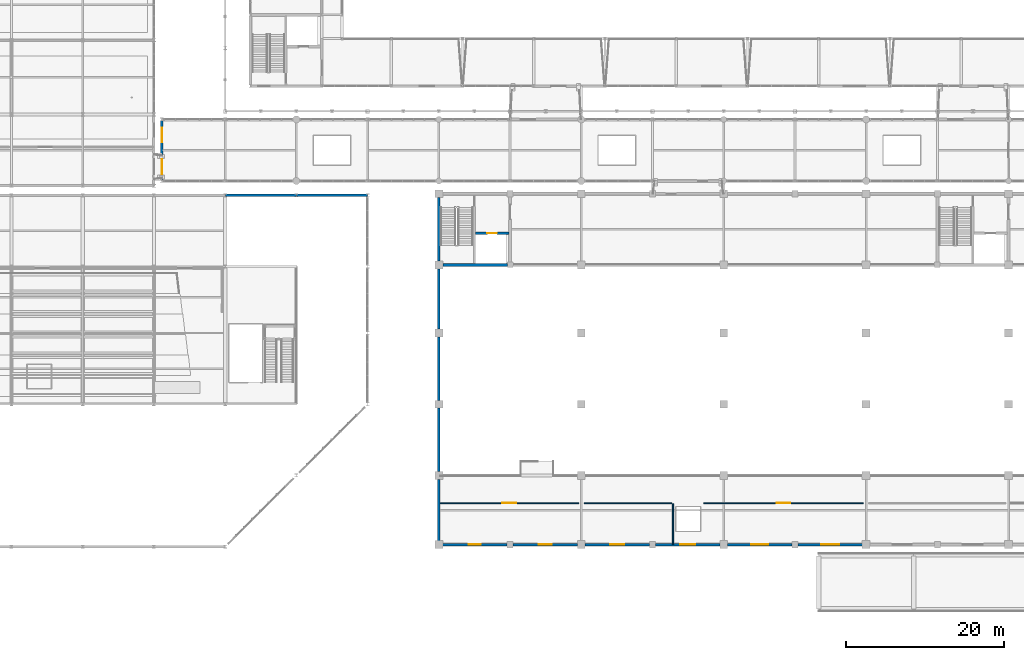
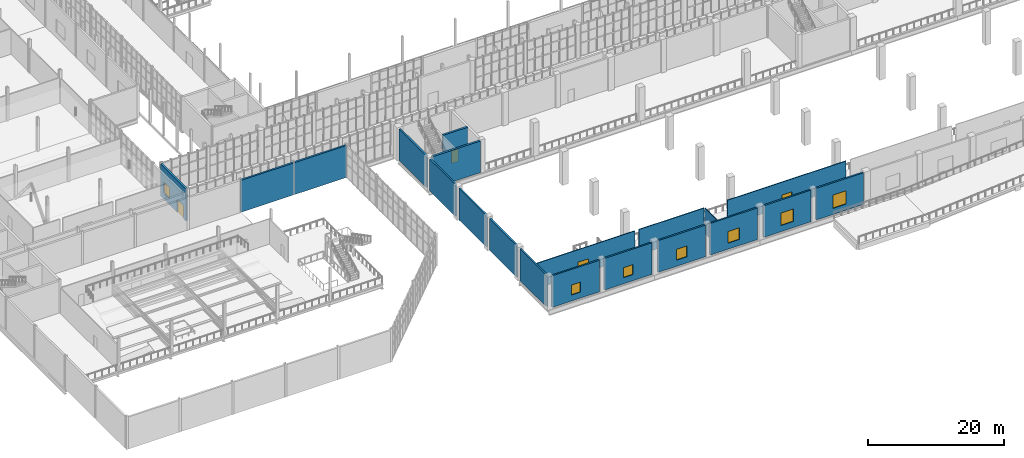
# One storey, part 121 of 159: 20 walls, 7 windows, 4 doors, 11 openings.
"""IFC4 building model written with IfcOpenShell, lengths in metres."""

from ifc_helpers import new_model, si_unit, direction, frame, frame_2d, origin, place, context, subcontext, project, spatial, rectangle, extrude, material, layer, layer_set, type_object, element, fill, save


model = new_model("IFC4")

# Units and contexts
model_context = context("Model", 3, precision=1e-05, world=origin(), true_north=direction((0.0, 1.0)))
body_context = subcontext(model_context, "Body", "Model", "MODEL_VIEW")
ifc_project = project(units=[si_unit("LENGTHUNIT", "METRE"), si_unit("AREAUNIT", "SQUARE_METRE"), si_unit("VOLUMEUNIT", "CUBIC_METRE"), si_unit("PLANEANGLEUNIT", "RADIAN"), si_unit("MASSUNIT", "GRAM", prefix="KILO")], contexts=[model_context])

# Site, building, storey
site_placement = place(None, origin())
site = spatial("IfcSite", under=ifc_project, at=site_placement, CompositionType="ELEMENT")
building_placement = place(site_placement, origin())
building = spatial("IfcBuilding", under=site, at=building_placement, Name="Cazmaro Siding Exhibition Halls", CompositionType="ELEMENT")
storey_placement = place(building_placement, frame((0.0, 0.0, 6.0)))
storey = spatial("IfcBuildingStorey", under=building, at=storey_placement, Name="L01", CompositionType="ELEMENT", Elevation=6.0)

# Wall, openings, door, window
ifc_material_1 = material(Name="Concrete f'c 45 MPa", Category="concrete")
ifc_layer_1 = layer(ifc_material_1, 0.320068359375)
ifc_layer_set_1 = layer_set([ifc_layer_1], Name="Concrete f'c 45 MPa")
wall_type_1 = type_object("IfcWallType", Name="EW-01", PredefinedType="STANDARD", material=ifc_layer_set_1)
wall_1_placement = place(storey_placement, frame((37.0, 55.3759765625, 0.0), z_axis=(0.0, 0.0, 1.0), x_axis=(0.0, 1.0, 0.0)))
wall_1 = element("IfcWall", 1, at=wall_1_placement, inside=storey, type_object=wall_type_1, Name="Concourse Bridge SB-04 Portal L01 EW-01 WL-E0185", PredefinedType="STANDARD", context=body_context, shape_type="SweptSolid", body=[
    extrude(rectangle(XDim=7.447998046875, YDim=0.320068359375, at=frame_2d((3.72412109375, 0.0))), origin(), (0.0, 0.0, 1.0), 5.780029296875),
])
opening_1_placement = place(wall_1_placement, frame((0.674072265625, 0.0, 0.0)))
opening_1 = element("IfcOpeningElement", 2, at=opening_1_placement, cuts=wall_1, Name="Opening D-E052", PredefinedType="OPENING", context=body_context, shape_type="SweptSolid", body=[
    extrude(rectangle(XDim=1.89990234375, YDim=2.3798828125, at=frame_2d((0.949951171875, 1.18994140625))), frame((0.0, 0.169921875, 0.0), z_axis=(0.0, -1.0, 0.0), x_axis=(1.0, 0.0, 0.0)), (0.0, 0.0, 1.0), 0.340087890625),
])
opening_2_placement = place(wall_1_placement, frame((4.748046875, 0.0, 1.10009765625)))
opening_2 = element("IfcOpeningElement", 3, at=opening_2_placement, cuts=wall_1, Name="Opening W-055", PredefinedType="OPENING", context=body_context, shape_type="SweptSolid", body=[
    extrude(rectangle(XDim=1.800048828125, YDim=1.949951171875, at=frame_2d((0.89990234375, 0.97509765625))), frame((0.0, 0.169921875, 0.0), z_axis=(0.0, -1.0, 0.0), x_axis=(1.0, 0.0, 0.0)), (0.0, 0.0, 1.0), 0.340087890625),
])
ifc_material_2 = material(Name="Anodized Bronze Glazed Entrance Door", Category="aluminium")
door_type_1 = type_object("IfcDoorType", Name="ED-08", OperationType="DOUBLE_DOOR_SLIDING", PredefinedType="DOOR", material=ifc_material_2)
door_1_placement = place(opening_1_placement, origin())
door_1 = element("IfcDoor", 4, at=door_1_placement, inside=storey, type_object=door_type_1, Name="Exterior door D-E052 (ED-08)", OperationType="DOUBLE_DOOR_SLIDING", OverallHeight=2.3798828125, OverallWidth=1.89990234375, PredefinedType="DOOR", context=body_context, shape_type="SweptSolid", body=[
    extrude(rectangle(XDim=1.89990234375, YDim=2.3798828125, at=frame_2d((0.949951171875, 1.18994140625))), frame((0.0, 0.02490234375, 0.0), z_axis=(0.0, -1.0, 0.0), x_axis=(1.0, 0.0, 0.0)), (0.0, 0.0, 1.0), 0.050048828125),
])
fill(opening_1, door_1)
ifc_material_3 = material(Name="Thermally Broken Aluminum Low-E Window Unit", Category="aluminium")
window_type_1 = type_object("IfcWindowType", Name="WT-03", PartitioningType="SINGLE_PANEL", PredefinedType="WINDOW", material=ifc_material_3)
window_1_placement = place(opening_2_placement, origin())
window_1 = element("IfcWindow", 5, at=window_1_placement, inside=storey, type_object=window_type_1, Name="Window W-055 (WT-03)", OverallHeight=1.949951171875, OverallWidth=1.800048828125, PartitioningType="SINGLE_PANEL", PredefinedType="WINDOW", context=body_context, shape_type="SweptSolid", body=[
    extrude(rectangle(XDim=1.800048828125, YDim=1.949951171875, at=frame_2d((0.89990234375, 0.97509765625))), frame((0.0, 0.030029296875, 0.0), z_axis=(0.0, -1.0, 0.0), x_axis=(1.0, 0.0, 0.0)), (0.0, 0.0, 1.0), 0.06005859375),
])
fill(opening_2, window_1)

# Walls
for number, where, z_axis, x_axis, name in (
    (6, (45.014892578125, 53.39990234375, 0.0), (0.0, 0.0, 1.0), (1.0, 0.0, 0.0), "Congress North Upper Seismic Wall EW-01 WL-E0236"),
    (7, (54.014892578125, 53.39990234375, 0.0), (0.0, 0.0, 1.0), (1.0, 0.0, 0.0), "Congress North Upper Seismic Wall EW-01 WL-E0239"),
):
    element("IfcWall", number, at=place(storey_placement, frame(where, z_axis=z_axis, x_axis=x_axis)), inside=storey, type_object=wall_type_1, Name=name, PredefinedType="STANDARD", context=body_context, shape_type="SweptSolid", body=[
        extrude(rectangle(XDim=8.97021484375, YDim=0.320068359375, at=frame_2d((4.485107421875, 0.0))), origin(), (0.0, 0.0, 1.0), 5.75),
    ])

# Wall, opening, window
ifc_material_4 = material(Name="Precast concrete f'c 40 MPa", Category="concrete")
ifc_layer_2 = layer(ifc_material_4, 0.280029296875)
ifc_layer_set_2 = layer_set([ifc_layer_2], Name="Precast concrete f'c 40 MPa")
wall_type_2 = type_object("IfcWallType", Name="EW-02", PredefinedType="STANDARD", material=ifc_layer_set_2)
wall_2_placement = place(storey_placement, frame((80.60791015625, 9.25, 0.0), z_axis=(0.0, 0.0, 1.0), x_axis=(-1.0, 0.0, 0.0)))
wall_2 = element("IfcWall", 8, at=wall_2_placement, inside=storey, type_object=wall_type_2, Name="Hall B1 South Mezzanine Wall EW-02 WL-E0037", PredefinedType="STANDARD", context=body_context, shape_type="SweptSolid", body=[
    extrude(rectangle(XDim=8.115966796875, YDim=0.280029296875, at=frame_2d((4.05810546875, 0.0))), origin(), (0.0, 0.0, 1.0), 5.699951171875),
])
opening_3_placement = place(wall_2_placement, frame((3.30810546875, 0.0, 1.10009765625)))
opening_3 = element("IfcOpeningElement", 9, at=opening_3_placement, cuts=wall_2, Name="Opening W-019", PredefinedType="OPENING", context=body_context, shape_type="SweptSolid", body=[
    extrude(rectangle(XDim=1.5, YDim=1.800048828125, at=frame_2d((0.75, 0.89990234375))), frame((0.0, 0.14990234375, 0.0), z_axis=(0.0, -1.0, 0.0), x_axis=(1.0, 0.0, 0.0)), (0.0, 0.0, 1.0), 0.300048828125),
])
ifc_material_5 = material(Name="Thermally Broken Aluminum Low-E Window Unit", Category="aluminium")
window_type_2 = type_object("IfcWindowType", Name="WT-01", PartitioningType="SINGLE_PANEL", PredefinedType="WINDOW", material=ifc_material_5)
window_2_placement = place(opening_3_placement, origin())
window_2 = element("IfcWindow", 10, at=window_2_placement, inside=storey, type_object=window_type_2, Name="Window W-019 (WT-01)", OverallHeight=1.800048828125, OverallWidth=1.5, PartitioningType="SINGLE_PANEL", PredefinedType="WINDOW", context=body_context, shape_type="SweptSolid", body=[
    extrude(rectangle(XDim=1.5, YDim=1.800048828125, at=frame_2d((0.75, 0.89990234375))), frame((0.0, 0.030029296875, 0.0), z_axis=(0.0, -1.0, 0.0), x_axis=(1.0, 0.0, 0.0)), (0.0, 0.0, 1.0), 0.06005859375),
])
fill(opening_3, window_2)

wall_3_placement = place(storey_placement, frame((89.508056640625, 9.25, 0.0), z_axis=(0.0, 0.0, 1.0), x_axis=(-1.0, 0.0, 0.0)))
wall_3 = element("IfcWall", 11, at=wall_3_placement, inside=storey, type_object=wall_type_2, Name="Hall B1 South Mezzanine Wall EW-02 WL-E0043", PredefinedType="STANDARD", context=body_context, shape_type="SweptSolid", body=[
    extrude(rectangle(XDim=8.115966796875, YDim=0.280029296875, at=frame_2d((4.05810546875, 0.0))), origin(), (0.0, 0.0, 1.0), 5.699951171875),
])
opening_4_placement = place(wall_3_placement, frame((3.23291015625, 0.0, 1.10009765625)))
opening_4 = element("IfcOpeningElement", 12, at=opening_4_placement, cuts=wall_3, Name="Opening W-020", PredefinedType="OPENING", context=body_context, shape_type="SweptSolid", body=[
    extrude(rectangle(XDim=1.64990234375, YDim=1.800048828125, at=frame_2d((0.824951171875, 0.89990234375))), frame((0.0, 0.14990234375, 0.0), z_axis=(0.0, -1.0, 0.0), x_axis=(1.0, 0.0, 0.0)), (0.0, 0.0, 1.0), 0.300048828125),
])
ifc_material_6 = material(Name="Thermally Broken Aluminum Low-E Window Unit", Category="aluminium")
window_type_3 = type_object("IfcWindowType", Name="WT-02", PartitioningType="SINGLE_PANEL", PredefinedType="WINDOW", material=ifc_material_6)
window_3_placement = place(opening_4_placement, origin())
window_3 = element("IfcWindow", 13, at=window_3_placement, inside=storey, type_object=window_type_3, Name="Window W-020 (WT-02)", OverallHeight=1.800048828125, OverallWidth=1.64990234375, PartitioningType="SINGLE_PANEL", PredefinedType="WINDOW", context=body_context, shape_type="SweptSolid", body=[
    extrude(rectangle(XDim=1.64990234375, YDim=1.800048828125, at=frame_2d((0.824951171875, 0.89990234375))), frame((0.0, 0.030029296875, 0.0), z_axis=(0.0, -1.0, 0.0), x_axis=(1.0, 0.0, 0.0)), (0.0, 0.0, 1.0), 0.06005859375),
])
fill(opening_4, window_3)

wall_4_placement = place(storey_placement, frame((98.60791015625, 9.25, 0.0), z_axis=(0.0, 0.0, 1.0), x_axis=(-1.0, 0.0, 0.0)))
wall_4 = element("IfcWall", 14, at=wall_4_placement, inside=storey, type_object=wall_type_2, Name="Hall B1 South Mezzanine Wall EW-02 WL-E0049", PredefinedType="STANDARD", context=body_context, shape_type="SweptSolid", body=[
    extrude(rectangle(XDim=8.115966796875, YDim=0.280029296875, at=frame_2d((4.05810546875, 0.0))), origin(), (0.0, 0.0, 1.0), 5.699951171875),
])
opening_5_placement = place(wall_4_placement, frame((3.157958984375, 0.0, 1.10009765625)))
opening_5 = element("IfcOpeningElement", 15, at=opening_5_placement, cuts=wall_4, Name="Opening W-023", PredefinedType="OPENING", context=body_context, shape_type="SweptSolid", body=[
    extrude(rectangle(XDim=1.800048828125, YDim=1.949951171875, at=frame_2d((0.89990234375, 0.97509765625))), frame((0.0, 0.14990234375, 0.0), z_axis=(0.0, -1.0, 0.0), x_axis=(1.0, 0.0, 0.0)), (0.0, 0.0, 1.0), 0.300048828125),
])
window_4_placement = place(opening_5_placement, origin())
window_4 = element("IfcWindow", 16, at=window_4_placement, inside=storey, type_object=window_type_1, Name="Window W-023 (WT-03)", OverallHeight=1.949951171875, OverallWidth=1.800048828125, PartitioningType="SINGLE_PANEL", PredefinedType="WINDOW", context=body_context, shape_type="SweptSolid", body=[
    extrude(rectangle(XDim=1.800048828125, YDim=1.949951171875, at=frame_2d((0.89990234375, 0.97509765625))), frame((0.0, 0.030029296875, 0.0), z_axis=(0.0, -1.0, 0.0), x_axis=(1.0, 0.0, 0.0)), (0.0, 0.0, 1.0), 0.06005859375),
])
fill(opening_5, window_4)

wall_5_placement = place(storey_placement, frame((107.508056640625, 9.25, 0.0), z_axis=(0.0, 0.0, 1.0), x_axis=(-1.0, 0.0, 0.0)))
wall_5 = element("IfcWall", 17, at=wall_5_placement, inside=storey, type_object=wall_type_2, Name="Hall B1 South Mezzanine Wall EW-02 WL-E0055", PredefinedType="STANDARD", context=body_context, shape_type="SweptSolid", body=[
    extrude(rectangle(XDim=8.115966796875, YDim=0.280029296875, at=frame_2d((4.05810546875, 0.0))), origin(), (0.0, 0.0, 1.0), 5.699951171875),
])
opening_6_placement = place(wall_5_placement, frame((3.0830078125, 0.0, 1.10009765625)))
opening_6 = element("IfcOpeningElement", 18, at=opening_6_placement, cuts=wall_5, Name="Opening W-026", PredefinedType="OPENING", context=body_context, shape_type="SweptSolid", body=[
    extrude(rectangle(XDim=1.949951171875, YDim=2.10009765625, at=frame_2d((0.97509765625, 1.050048828125))), frame((0.0, 0.14990234375, 0.0), z_axis=(0.0, -1.0, 0.0), x_axis=(1.0, 0.0, 0.0)), (0.0, 0.0, 1.0), 0.300048828125),
])
ifc_material_7 = material(Name="Thermally Broken Aluminum Low-E Window Unit", Category="aluminium")
window_type_4 = type_object("IfcWindowType", Name="WT-04", PartitioningType="SINGLE_PANEL", PredefinedType="WINDOW", material=ifc_material_7)
window_5_placement = place(opening_6_placement, origin())
window_5 = element("IfcWindow", 19, at=window_5_placement, inside=storey, type_object=window_type_4, Name="Window W-026 (WT-04)", OverallHeight=2.10009765625, OverallWidth=1.949951171875, PartitioningType="SINGLE_PANEL", PredefinedType="WINDOW", context=body_context, shape_type="SweptSolid", body=[
    extrude(rectangle(XDim=1.949951171875, YDim=2.10009765625, at=frame_2d((0.97509765625, 1.050048828125))), frame((0.0, 0.030029296875, 0.0), z_axis=(0.0, -1.0, 0.0), x_axis=(1.0, 0.0, 0.0)), (0.0, 0.0, 1.0), 0.06005859375),
])
fill(opening_6, window_5)

wall_6_placement = place(storey_placement, frame((116.60791015625, 9.25, 0.0), z_axis=(0.0, 0.0, 1.0), x_axis=(-1.0, 0.0, 0.0)))
wall_6 = element("IfcWall", 20, at=wall_6_placement, inside=storey, type_object=wall_type_2, Name="Hall B1 South Mezzanine Wall EW-02 WL-E0061", PredefinedType="STANDARD", context=body_context, shape_type="SweptSolid", body=[
    extrude(rectangle(XDim=8.115966796875, YDim=0.280029296875, at=frame_2d((4.05810546875, 0.0))), origin(), (0.0, 0.0, 1.0), 5.699951171875),
])
opening_7_placement = place(wall_6_placement, frame((3.008056640625, 0.0, 1.10009765625)))
opening_7 = element("IfcOpeningElement", 21, at=opening_7_placement, cuts=wall_6, Name="Opening W-029", PredefinedType="OPENING", context=body_context, shape_type="SweptSolid", body=[
    extrude(rectangle(XDim=2.10009765625, YDim=2.25, at=frame_2d((1.050048828125, 1.125))), frame((0.0, 0.14990234375, 0.0), z_axis=(0.0, -1.0, 0.0), x_axis=(1.0, 0.0, 0.0)), (0.0, 0.0, 1.0), 0.300048828125),
])
ifc_material_8 = material(Name="Thermally Broken Aluminum Low-E Window Unit", Category="aluminium")
window_type_5 = type_object("IfcWindowType", Name="WT-05", PartitioningType="SINGLE_PANEL", PredefinedType="WINDOW", material=ifc_material_8)
window_6_placement = place(opening_7_placement, origin())
window_6 = element("IfcWindow", 22, at=window_6_placement, inside=storey, type_object=window_type_5, Name="Window W-029 (WT-05)", OverallHeight=2.25, OverallWidth=2.10009765625, PartitioningType="SINGLE_PANEL", PredefinedType="WINDOW", context=body_context, shape_type="SweptSolid", body=[
    extrude(rectangle(XDim=2.10009765625, YDim=2.25, at=frame_2d((1.050048828125, 1.125))), frame((0.0, 0.030029296875, 0.0), z_axis=(0.0, -1.0, 0.0), x_axis=(1.0, 0.0, 0.0)), (0.0, 0.0, 1.0), 0.06005859375),
])
fill(opening_7, window_6)

wall_7_placement = place(storey_placement, frame((125.508056640625, 9.25, 0.0), z_axis=(0.0, 0.0, 1.0), x_axis=(-1.0, 0.0, 0.0)))
wall_7 = element("IfcWall", 23, at=wall_7_placement, inside=storey, type_object=wall_type_2, Name="Hall B1 South Mezzanine Wall EW-02 WL-E0067", PredefinedType="STANDARD", context=body_context, shape_type="SweptSolid", body=[
    extrude(rectangle(XDim=8.115966796875, YDim=0.280029296875, at=frame_2d((4.05810546875, 0.0))), origin(), (0.0, 0.0, 1.0), 5.699951171875),
])
opening_8_placement = place(wall_7_placement, frame((2.93310546875, 0.0, 1.10009765625)))
opening_8 = element("IfcOpeningElement", 24, at=opening_8_placement, cuts=wall_7, Name="Opening W-031", PredefinedType="OPENING", context=body_context, shape_type="SweptSolid", body=[
    extrude(rectangle(XDim=2.25, YDim=2.39990234375, at=frame_2d((1.125, 1.199951171875))), frame((0.0, 0.14990234375, 0.0), z_axis=(0.0, -1.0, 0.0), x_axis=(1.0, 0.0, 0.0)), (0.0, 0.0, 1.0), 0.300048828125),
])
ifc_material_9 = material(Name="Thermally Broken Aluminum Low-E Window Unit", Category="aluminium")
window_type_6 = type_object("IfcWindowType", Name="WT-06", PartitioningType="SINGLE_PANEL", PredefinedType="WINDOW", material=ifc_material_9)
window_7_placement = place(opening_8_placement, origin())
window_7 = element("IfcWindow", 25, at=window_7_placement, inside=storey, type_object=window_type_6, Name="Window W-031 (WT-06)", OverallHeight=2.39990234375, OverallWidth=2.25, PartitioningType="SINGLE_PANEL", PredefinedType="WINDOW", context=body_context, shape_type="SweptSolid", body=[
    extrude(rectangle(XDim=2.25, YDim=2.39990234375, at=frame_2d((1.125, 1.199951171875))), frame((0.0, 0.030029296875, 0.0), z_axis=(0.0, -1.0, 0.0), x_axis=(1.0, 0.0, 0.0)), (0.0, 0.0, 1.0), 0.06005859375),
])
fill(opening_8, window_7)

# Walls
wall_8_placement = place(storey_placement, frame((72.0, 9.741943359375, 0.0), z_axis=(0.0, 0.0, 1.0), x_axis=(0.0, 1.0, 0.0)))
element("IfcWall", 26, at=wall_8_placement, inside=storey, type_object=wall_type_2, Name="Hall B1 West Upper Wall EW-02 WL-E0127", PredefinedType="STANDARD", context=body_context, shape_type="SweptSolid", body=[
    extrude(rectangle(XDim=7.76611328125, YDim=0.280029296875, at=frame_2d((3.883056640625, 0.0))), origin(), (0.0, 0.0, 1.0), 5.699951171875),
])
for number, where, z_axis, x_axis, name in (
    (27, (72.0, 18.491943359375, 0.0), (0.0, 0.0, 1.0), (0.0, 1.0, 0.0), "Hall B1 West Upper Wall EW-02 WL-E0133"),
    (28, (72.0, 27.491943359375, 0.0), (0.0, 0.0, 1.0), (0.0, 1.0, 0.0), "Hall B1 West Upper Wall EW-02 WL-E0139"),
):
    element("IfcWall", number, at=place(storey_placement, frame(where, z_axis=z_axis, x_axis=x_axis)), inside=storey, type_object=wall_type_2, Name=name, PredefinedType="STANDARD", context=body_context, shape_type="SweptSolid", body=[
        extrude(rectangle(XDim=8.01611328125, YDim=0.280029296875, at=frame_2d((4.008056640625, 0.0))), origin(), (0.0, 0.0, 1.0), 5.699951171875),
    ])
wall_9_placement = place(storey_placement, frame((72.0, 36.491943359375, 0.0), z_axis=(0.0, 0.0, 1.0), x_axis=(0.0, 1.0, 0.0)))
element("IfcWall", 29, at=wall_9_placement, inside=storey, type_object=wall_type_2, Name="Hall B1 West Upper Wall EW-02 WL-E0145", PredefinedType="STANDARD", context=body_context, shape_type="SweptSolid", body=[
    extrude(rectangle(XDim=7.615966796875, YDim=0.280029296875, at=frame_2d((3.80810546875, 0.0))), origin(), (0.0, 0.0, 1.0), 5.699951171875),
])
wall_10_placement = place(storey_placement, frame((72.0, 45.092041015625, 0.0), z_axis=(0.0, 0.0, 1.0), x_axis=(0.0, 1.0, 0.0)))
element("IfcWall", 30, at=wall_10_placement, inside=storey, type_object=wall_type_2, Name="Hall B1 West Upper Wall EW-02 WL-E0151", PredefinedType="STANDARD", context=body_context, shape_type="SweptSolid", body=[
    extrude(rectangle(XDim=8.015869140625, YDim=0.280029296875, at=frame_2d((4.0078125, 0.0))), origin(), (0.0, 0.0, 1.0), 5.699951171875),
])

# Wall, opening, door
ifc_material_10 = material(Name="Fire-Rated Gypsum Board on Cold-Formed Steel Studs", Category="steel")
ifc_layer_3 = layer(ifc_material_10, 0.14501953125)
ifc_layer_set_3 = layer_set([ifc_layer_3], Name="Fire-Rated Gypsum Board on Cold-Formed Steel Studs")
wall_type_3 = type_object("IfcWallType", Name="PW-01", PredefinedType="PARTITIONING", material=ifc_layer_set_3)
wall_11_placement = place(storey_placement, frame((72.139892578125, 14.5, 0.0), z_axis=(0.0, 0.0, 1.0), x_axis=(1.0, 0.0, 0.0)))
wall_11 = element("IfcWall", 31, at=wall_11_placement, inside=storey, type_object=wall_type_3, Name="Hall B1 South Mezzanine Corridor Wall L01 PW-01 WL-I0323", PredefinedType="PARTITIONING", context=body_context, shape_type="SweptSolid", body=[
    extrude(rectangle(XDim=17.510009765625, YDim=0.14501953125, at=frame_2d((8.7548828125, 0.0))), origin(), (0.0, 0.0, 1.0), 4.550048828125),
])
opening_9_placement = place(wall_11_placement, frame((7.85498046875, 0.0, 0.0)))
opening_9 = element("IfcOpeningElement", 32, at=opening_9_placement, cuts=wall_11, Name="Opening D-I154", PredefinedType="OPENING", context=body_context, shape_type="SweptSolid", body=[
    extrude(rectangle(XDim=1.800048828125, YDim=2.300048828125, at=frame_2d((0.89990234375, 1.14990234375))), frame((0.0, 0.08251953125, 0.0), z_axis=(0.0, -1.0, 0.0), x_axis=(1.0, 0.0, 0.0)), (0.0, 0.0, 1.0), 0.1650390625),
])
ifc_material_11 = material(Name="Fire-Rated Painted Hollow Metal Door", Category="steel")
door_type_2 = type_object("IfcDoorType", Name="ID-02", OperationType="DOUBLE_DOOR_SINGLE_SWING", PredefinedType="DOOR", material=ifc_material_11)
door_2_placement = place(opening_9_placement, origin())
door_2 = element("IfcDoor", 33, at=door_2_placement, inside=storey, type_object=door_type_2, Name="Interior door D-I154 (ID-02)", OperationType="DOUBLE_DOOR_SINGLE_SWING", OverallHeight=2.300048828125, OverallWidth=1.800048828125, PredefinedType="DOOR", context=body_context, shape_type="SweptSolid", body=[
    extrude(rectangle(XDim=1.800048828125, YDim=2.300048828125, at=frame_2d((0.89990234375, 1.14990234375))), frame((0.0, 0.02490234375, 0.0), z_axis=(0.0, -1.0, 0.0), x_axis=(1.0, 0.0, 0.0)), (0.0, 0.0, 1.0), 0.050048828125),
])
fill(opening_9, door_2)

# Wall
wall_12_placement = place(storey_placement, frame((90.35009765625, 14.5, 0.0), z_axis=(0.0, 0.0, 1.0), x_axis=(1.0, 0.0, 0.0)))
element("IfcWall", 34, at=wall_12_placement, inside=storey, type_object=wall_type_3, Name="Hall B1 South Mezzanine Corridor Wall L01 PW-01 WL-I0324", PredefinedType="PARTITIONING", context=body_context, shape_type="SweptSolid", body=[
    extrude(rectangle(XDim=11.099853515625, YDim=0.14501953125, at=frame_2d((5.5498046875, 0.0))), origin(), (0.0, 0.0, 1.0), 4.550048828125),
])

# Wall, opening, door
wall_13_placement = place(storey_placement, frame((105.449951171875, 14.5, 0.0), z_axis=(0.0, 0.0, 1.0), x_axis=(1.0, 0.0, 0.0)))
wall_13 = element("IfcWall", 35, at=wall_13_placement, inside=storey, type_object=wall_type_3, Name="Hall B1 South Mezzanine Corridor Wall L01 PW-01 WL-I0325", PredefinedType="PARTITIONING", context=body_context, shape_type="SweptSolid", body=[
    extrude(rectangle(XDim=20.199951171875, YDim=0.14501953125, at=frame_2d((10.10009765625, 0.0))), origin(), (0.0, 0.0, 1.0), 4.550048828125),
])
opening_10_placement = place(wall_13_placement, frame((9.27490234375, 0.0, 0.0)))
opening_10 = element("IfcOpeningElement", 36, at=opening_10_placement, cuts=wall_13, Name="Opening D-I155", PredefinedType="OPENING", context=body_context, shape_type="SweptSolid", body=[
    extrude(rectangle(XDim=1.64990234375, YDim=2.25, at=frame_2d((0.824951171875, 1.125))), frame((0.0, 0.08251953125, 0.0), z_axis=(0.0, -1.0, 0.0), x_axis=(1.0, 0.0, 0.0)), (0.0, 0.0, 1.0), 0.1650390625),
])
ifc_material_12 = material(Name="Fire-Rated Painted Hollow Metal Door", Category="steel")
door_type_3 = type_object("IfcDoorType", Name="ID-05", OperationType="DOUBLE_DOOR_SINGLE_SWING", PredefinedType="DOOR", material=ifc_material_12)
door_3_placement = place(opening_10_placement, origin())
door_3 = element("IfcDoor", 37, at=door_3_placement, inside=storey, type_object=door_type_3, Name="Interior door D-I155 (ID-05)", OperationType="DOUBLE_DOOR_SINGLE_SWING", OverallHeight=2.25, OverallWidth=1.64990234375, PredefinedType="DOOR", context=body_context, shape_type="SweptSolid", body=[
    extrude(rectangle(XDim=1.64990234375, YDim=2.25, at=frame_2d((0.824951171875, 1.125))), frame((0.0, 0.02490234375, 0.0), z_axis=(0.0, -1.0, 0.0), x_axis=(1.0, 0.0, 0.0)), (0.0, 0.0, 1.0), 0.050048828125),
])
fill(opening_10, door_3)

# Walls
ifc_material_13 = material(Name="Moisture-Resistant Gypsum Board on Acoustic Steel Studs", Category="steel")
ifc_layer_4 = layer(ifc_material_13, 0.1650390625)
ifc_layer_set_4 = layer_set([ifc_layer_4], Name="Moisture-Resistant Gypsum Board on Acoustic Steel Studs")
wall_type_4 = type_object("IfcWallType", Name="PW-02", PredefinedType="PARTITIONING", material=ifc_layer_set_4)
wall_14_placement = place(storey_placement, frame((101.60009765625, 9.31005859375, 0.0), z_axis=(0.0, 0.0, 1.0), x_axis=(0.0, 1.0, 0.0)))
element("IfcWall", 38, at=wall_14_placement, inside=storey, type_object=wall_type_4, Name="Hall B1 Mezzanine Room Divider PW-02 WL-I0330", PredefinedType="PARTITIONING", context=body_context, shape_type="SweptSolid", body=[
    extrude(rectangle(XDim=5.10986328125, YDim=0.1650390625, at=frame_2d((2.554931640625, 0.0))), origin(), (0.0, 0.0, 1.0), 4.550048828125),
])
ifc_material_14 = material(Name="Concrete f'c 50 MPa", Category="concrete")
ifc_layer_5 = layer(ifc_material_14, 0.360107421875)
ifc_layer_set_5 = layer_set([ifc_layer_5], Name="Concrete f'c 50 MPa")
wall_type_5 = type_object("IfcWallType", Name="SW-01", PredefinedType="SHEAR", material=ifc_layer_set_5)
wall_15_placement = place(storey_placement, frame((72.4951171875, 44.60009765625, 0.0), z_axis=(0.0, 0.0, 1.0), x_axis=(1.0, 0.0, 0.0)))
element("IfcWall", 39, at=wall_15_placement, inside=storey, type_object=wall_type_5, Name="Core C3 South Shear Wall SW-01 WL-I0030", PredefinedType="SHEAR", context=body_context, shape_type="SweptSolid", body=[
    extrude(rectangle(XDim=8.159912109375, YDim=0.360107421875, at=frame_2d((4.080078125, 0.0))), origin(), (0.0, 0.0, 1.0), 5.699951171875),
])

# Wall, opening, door
wall_16_placement = place(storey_placement, frame((76.614990234375, 48.60009765625, 0.0), z_axis=(0.0, 0.0, 1.0), x_axis=(1.0, 0.0, 0.0)))
wall_16 = element("IfcWall", 40, at=wall_16_placement, inside=storey, type_object=wall_type_5, Name="Core C3 Lift Shaft Wall SW-01 WL-I0032", PredefinedType="SHEAR", context=body_context, shape_type="SweptSolid", body=[
    extrude(rectangle(XDim=4.219970703125, YDim=0.360107421875, at=frame_2d((2.10986328125, 0.0))), origin(), (0.0, 0.0, 1.0), 5.699951171875),
])
opening_11_placement = place(wall_16_placement, frame((1.510009765625, 0.0, 0.0)))
opening_11 = element("IfcOpeningElement", 41, at=opening_11_placement, cuts=wall_16, Name="Opening LD-008", PredefinedType="OPENING", context=body_context, shape_type="SweptSolid", body=[
    extrude(rectangle(XDim=1.199951171875, YDim=2.300048828125, at=frame_2d((0.60009765625, 1.14990234375))), frame((0.0, 0.18994140625, 0.0), z_axis=(0.0, -1.0, 0.0), x_axis=(1.0, 0.0, 0.0)), (0.0, 0.0, 1.0), 0.380126953125),
])
ifc_material_15 = material(Name="Stainless Steel Elevator Landing Door", Category="steel")
door_type_4 = type_object("IfcDoorType", Name="LD-01", OperationType="SLIDING_TO_LEFT", PredefinedType="DOOR", material=ifc_material_15)
door_4_placement = place(opening_11_placement, origin())
door_4 = element("IfcDoor", 42, at=door_4_placement, inside=storey, type_object=door_type_4, Name="Interior door LD-008 (LD-01)", OperationType="SLIDING_TO_RIGHT", OverallHeight=2.300048828125, OverallWidth=1.199951171875, PredefinedType="DOOR", context=body_context, shape_type="SweptSolid", body=[
    extrude(rectangle(XDim=1.199951171875, YDim=2.300048828125, at=frame_2d((0.60009765625, 1.14990234375))), frame((0.0, 0.02490234375, 0.0), z_axis=(0.0, -1.0, 0.0), x_axis=(1.0, 0.0, 0.0)), (0.0, 0.0, 1.0), 0.050048828125),
])
fill(opening_11, door_4)

save(model, "model.ifc")
